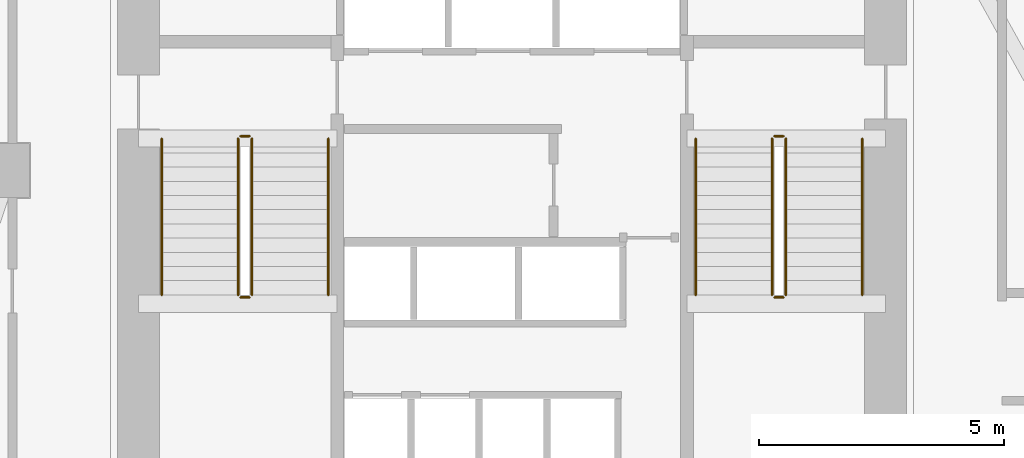
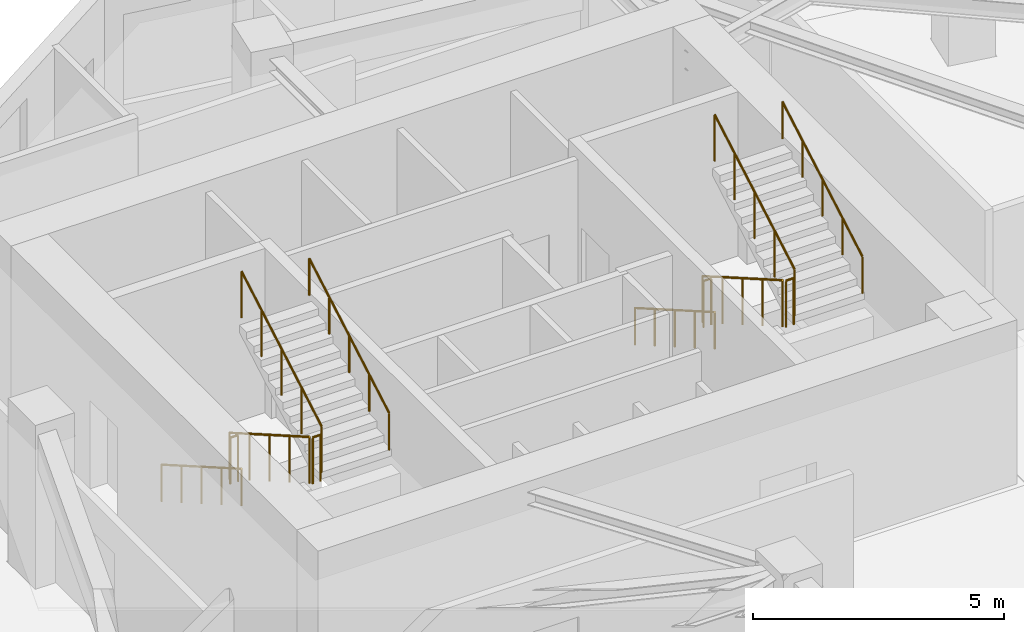
# One storey, part 10 of 11: 12 railings.
"""IFC4 building model written with IfcOpenShell, lengths in metres."""

from ifc_helpers import new_model, si_unit, direction, frame, origin, origin_2d, place, context, subcontext, project, spatial, circle, extrude, material, type_object, element, save


model = new_model("IFC4")

# Units and contexts
model_context = context("Model", 3, precision=1e-05, world=origin(), true_north=direction((0.0, 1.0)))
body_context = subcontext(model_context, "Body", "Model", "MODEL_VIEW")
ifc_project = project(units=[si_unit("LENGTHUNIT", "METRE"), si_unit("AREAUNIT", "SQUARE_METRE"), si_unit("VOLUMEUNIT", "CUBIC_METRE"), si_unit("PLANEANGLEUNIT", "RADIAN"), si_unit("MASSUNIT", "GRAM", prefix="KILO")], contexts=[model_context])

# Site, building, storey
site_placement = place(None, origin())
site = spatial("IfcSite", under=ifc_project, at=site_placement, CompositionType="ELEMENT")
building_placement = place(site_placement, origin())
building = spatial("IfcBuilding", under=site, at=building_placement, Name="Calvemar Wedge Station Tower", CompositionType="ELEMENT")
storey_placement = place(building_placement, frame((0.0, 0.0, 31.0)))
storey = spatial("IfcBuildingStorey", under=building, at=storey_placement, Name="L07", CompositionType="ELEMENT", Elevation=31.0)

# Railings
ifc_material_1 = material(Name="Stainless steel AISI 316L", Category="steel")
railing_type_1 = type_object("IfcRailingType", Name="RL-HANDRAIL-920", PredefinedType="HANDRAIL", material=ifc_material_1)
railing_1_placement = place(storey_placement, frame((16.64990234375, 41.14990234375, 0.166748046875)))
element("IfcRailing", 1, at=railing_1_placement, inside=storey, type_object=railing_type_1, Name="L07 ST-C1 stair handrail 1", PredefinedType="HANDRAIL", context=body_context, shape_type="SweptSolid", body=[
    extrude(circle(Radius=0.02392578125, at=origin_2d()), frame((0.0, 0.0, 0.89599609375), z_axis=(0.0, -0.867019545617, 0.498274128887), x_axis=(1.0, 0.0, 0.0)), (0.0, 0.0, 1.0), 3.67919921875),
    extrude(circle(Radius=0.02099609375, at=origin_2d()), origin(), (0.0, 0.0, 1.0), 0.871826171875),
    extrude(circle(Radius=0.02099609375, at=origin_2d()), frame((0.0, -0.79736328125, 0.458251953125)), (0.0, 0.0, 1.0), 0.871826171875),
    extrude(circle(Radius=0.02099609375, at=origin_2d()), frame((0.0, -1.594970703125, 0.91650390625)), (0.0, 0.0, 1.0), 0.871826171875),
    extrude(circle(Radius=0.02099609375, at=origin_2d()), frame((0.0, -2.392578125, 1.375)), (0.0, 0.0, 1.0), 0.871826171875),
    extrude(circle(Radius=0.02099609375, at=origin_2d()), frame((0.0, -3.18994140625, 1.833251953125)), (0.0, 0.0, 1.0), 0.871826171875),
])
railing_2_placement = place(storey_placement, frame((20.050048828125, 37.9599609375, 2.166748046875)))
element("IfcRailing", 2, at=railing_2_placement, inside=storey, type_object=railing_type_1, Name="L07 ST-C1 stair handrail 2", PredefinedType="HANDRAIL", context=body_context, shape_type="SweptSolid", body=[
    extrude(circle(Radius=0.02392578125, at=origin_2d()), frame((0.0, 0.0, 0.89599609375), z_axis=(0.0, 0.867019545617, 0.498274128887), x_axis=(-1.0, 0.0, 0.0)), (0.0, 0.0, 1.0), 3.67919921875),
    extrude(circle(Radius=0.02099609375, at=origin_2d()), origin(), (0.0, 0.0, 1.0), 0.871826171875),
    extrude(circle(Radius=0.02099609375, at=origin_2d()), frame((0.0, 0.79736328125, 0.458251953125)), (0.0, 0.0, 1.0), 0.871826171875),
    extrude(circle(Radius=0.02099609375, at=origin_2d()), frame((0.0, 1.594970703125, 0.91650390625)), (0.0, 0.0, 1.0), 0.871826171875),
    extrude(circle(Radius=0.02099609375, at=origin_2d()), frame((0.0, 2.392578125, 1.375)), (0.0, 0.0, 1.0), 0.871826171875),
    extrude(circle(Radius=0.02099609375, at=origin_2d()), frame((0.0, 3.18994140625, 1.833251953125)), (0.0, 0.0, 1.0), 0.871826171875),
])
railing_3_placement = place(storey_placement, frame((27.550048828125, 41.14990234375, 0.166748046875)))
element("IfcRailing", 3, at=railing_3_placement, inside=storey, type_object=railing_type_1, Name="L07 ST-C2 stair handrail 1", PredefinedType="HANDRAIL", context=body_context, shape_type="SweptSolid", body=[
    extrude(circle(Radius=0.02392578125, at=origin_2d()), frame((0.0, 0.0, 0.89599609375), z_axis=(0.0, -0.867019545617, 0.498274128887), x_axis=(1.0, 0.0, 0.0)), (0.0, 0.0, 1.0), 3.67919921875),
    extrude(circle(Radius=0.02099609375, at=origin_2d()), origin(), (0.0, 0.0, 1.0), 0.871826171875),
    extrude(circle(Radius=0.02099609375, at=origin_2d()), frame((0.0, -0.79736328125, 0.458251953125)), (0.0, 0.0, 1.0), 0.871826171875),
    extrude(circle(Radius=0.02099609375, at=origin_2d()), frame((0.0, -1.594970703125, 0.91650390625)), (0.0, 0.0, 1.0), 0.871826171875),
    extrude(circle(Radius=0.02099609375, at=origin_2d()), frame((0.0, -2.392578125, 1.375)), (0.0, 0.0, 1.0), 0.871826171875),
    extrude(circle(Radius=0.02099609375, at=origin_2d()), frame((0.0, -3.18994140625, 1.833251953125)), (0.0, 0.0, 1.0), 0.871826171875),
])
railing_4_placement = place(storey_placement, frame((30.949951171875, 37.9599609375, 2.166748046875)))
element("IfcRailing", 4, at=railing_4_placement, inside=storey, type_object=railing_type_1, Name="L07 ST-C2 stair handrail 2", PredefinedType="HANDRAIL", context=body_context, shape_type="SweptSolid", body=[
    extrude(circle(Radius=0.02392578125, at=origin_2d()), frame((0.0, 0.0, 0.89599609375), z_axis=(0.0, 0.867019545617, 0.498274128887), x_axis=(-1.0, 0.0, 0.0)), (0.0, 0.0, 1.0), 3.67919921875),
    extrude(circle(Radius=0.02099609375, at=origin_2d()), origin(), (0.0, 0.0, 1.0), 0.871826171875),
    extrude(circle(Radius=0.02099609375, at=origin_2d()), frame((0.0, 0.79736328125, 0.458251953125)), (0.0, 0.0, 1.0), 0.871826171875),
    extrude(circle(Radius=0.02099609375, at=origin_2d()), frame((0.0, 1.594970703125, 0.91650390625)), (0.0, 0.0, 1.0), 0.871826171875),
    extrude(circle(Radius=0.02099609375, at=origin_2d()), frame((0.0, 2.392578125, 1.375)), (0.0, 0.0, 1.0), 0.871826171875),
    extrude(circle(Radius=0.02099609375, at=origin_2d()), frame((0.0, 3.18994140625, 1.833251953125)), (0.0, 0.0, 1.0), 0.871826171875),
])
ifc_material_2 = material(Name="Painted steel guardrail ASTM A500 Grade C", Category="steel")
railing_type_2 = type_object("IfcRailingType", Name="RL-STAIR-GUARD-1150", PredefinedType="GUARDRAIL", material=ifc_material_2)
railing_5_placement = place(storey_placement, frame((18.2099609375, 41.14990234375, 0.166748046875)))
element("IfcRailing", 5, at=railing_5_placement, inside=storey, type_object=railing_type_2, Name="L07 ST-C1 stair guard 1", PredefinedType="GUARDRAIL", context=body_context, shape_type="SweptSolid", body=[
    extrude(circle(Radius=0.02392578125, at=origin_2d()), frame((0.0, 0.0, 1.1259765625), z_axis=(0.0, -0.867019545617, 0.498274128887), x_axis=(1.0, 0.0, 0.0)), (0.0, 0.0, 1.0), 3.67919921875),
    extrude(circle(Radius=0.02099609375, at=origin_2d()), origin(), (0.0, 0.0, 1.0), 1.101806640625),
    extrude(circle(Radius=0.02099609375, at=origin_2d()), frame((0.0, -0.79736328125, 0.458251953125)), (0.0, 0.0, 1.0), 1.101806640625),
    extrude(circle(Radius=0.02099609375, at=origin_2d()), frame((0.0, -1.594970703125, 0.91650390625)), (0.0, 0.0, 1.0), 1.101806640625),
    extrude(circle(Radius=0.02099609375, at=origin_2d()), frame((0.0, -2.392578125, 1.375)), (0.0, 0.0, 1.0), 1.101806640625),
    extrude(circle(Radius=0.02099609375, at=origin_2d()), frame((0.0, -3.18994140625, 1.833251953125)), (0.0, 0.0, 1.0), 1.101806640625),
])
railing_6_placement = place(storey_placement, frame((18.260009765625, 37.909912109375, 2.0)))
element("IfcRailing", 6, at=railing_6_placement, inside=storey, type_object=railing_type_2, Name="L07 ST-C1 stair guard 2", PredefinedType="GUARDRAIL", context=body_context, shape_type="SweptSolid", body=[
    extrude(circle(Radius=0.02392578125, at=origin_2d()), frame((0.0, 0.0, 1.1259765625), z_axis=(1.0, 0.0, 0.0), x_axis=(0.0, 1.0, 0.0)), (0.0, 0.0, 1.0), 0.179931640625),
    extrude(circle(Radius=0.02099609375, at=origin_2d()), origin(), (0.0, 0.0, 1.0), 1.101806640625),
    extrude(circle(Radius=0.02099609375, at=origin_2d()), frame((0.179931640625, 0.0, 0.0)), (0.0, 0.0, 1.0), 1.101806640625),
])
railing_7_placement = place(storey_placement, frame((18.489990234375, 37.9599609375, 2.166748046875)))
element("IfcRailing", 7, at=railing_7_placement, inside=storey, type_object=railing_type_2, Name="L07 ST-C1 stair guard 3", PredefinedType="GUARDRAIL", context=body_context, shape_type="SweptSolid", body=[
    extrude(circle(Radius=0.02392578125, at=origin_2d()), frame((0.0, 0.0, 1.1259765625), z_axis=(0.0, 0.867019545617, 0.498274128887), x_axis=(-1.0, 0.0, 0.0)), (0.0, 0.0, 1.0), 3.67919921875),
    extrude(circle(Radius=0.02099609375, at=origin_2d()), origin(), (0.0, 0.0, 1.0), 1.101806640625),
    extrude(circle(Radius=0.02099609375, at=origin_2d()), frame((0.0, 0.79736328125, 0.458251953125)), (0.0, 0.0, 1.0), 1.101806640625),
    extrude(circle(Radius=0.02099609375, at=origin_2d()), frame((0.0, 1.594970703125, 0.91650390625)), (0.0, 0.0, 1.0), 1.101806640625),
    extrude(circle(Radius=0.02099609375, at=origin_2d()), frame((0.0, 2.392578125, 1.375)), (0.0, 0.0, 1.0), 1.101806640625),
    extrude(circle(Radius=0.02099609375, at=origin_2d()), frame((0.0, 3.18994140625, 1.833251953125)), (0.0, 0.0, 1.0), 1.101806640625),
])
railing_8_placement = place(storey_placement, frame((18.260009765625, 41.199951171875, 0.0)))
element("IfcRailing", 8, at=railing_8_placement, inside=storey, type_object=railing_type_2, Name="L07 ST-C1 stair guard 4", PredefinedType="GUARDRAIL", context=body_context, shape_type="SweptSolid", body=[
    extrude(circle(Radius=0.02392578125, at=origin_2d()), frame((0.0, 0.0, 1.1259765625), z_axis=(1.0, 0.0, 0.0), x_axis=(0.0, 1.0, 0.0)), (0.0, 0.0, 1.0), 0.179931640625),
    extrude(circle(Radius=0.02099609375, at=origin_2d()), origin(), (0.0, 0.0, 1.0), 1.101806640625),
    extrude(circle(Radius=0.02099609375, at=origin_2d()), frame((0.179931640625, 0.0, 0.0)), (0.0, 0.0, 1.0), 1.101806640625),
])
railing_9_placement = place(storey_placement, frame((29.110107421875, 41.14990234375, 0.166748046875)))
element("IfcRailing", 9, at=railing_9_placement, inside=storey, type_object=railing_type_2, Name="L07 ST-C2 stair guard 1", PredefinedType="GUARDRAIL", context=body_context, shape_type="SweptSolid", body=[
    extrude(circle(Radius=0.02392578125, at=origin_2d()), frame((0.0, 0.0, 1.1259765625), z_axis=(0.0, -0.867019545617, 0.498274128887), x_axis=(1.0, 0.0, 0.0)), (0.0, 0.0, 1.0), 3.67919921875),
    extrude(circle(Radius=0.02099609375, at=origin_2d()), origin(), (0.0, 0.0, 1.0), 1.101806640625),
    extrude(circle(Radius=0.02099609375, at=origin_2d()), frame((0.0, -0.79736328125, 0.458251953125)), (0.0, 0.0, 1.0), 1.101806640625),
    extrude(circle(Radius=0.02099609375, at=origin_2d()), frame((0.0, -1.594970703125, 0.91650390625)), (0.0, 0.0, 1.0), 1.101806640625),
    extrude(circle(Radius=0.02099609375, at=origin_2d()), frame((0.0, -2.392578125, 1.375)), (0.0, 0.0, 1.0), 1.101806640625),
    extrude(circle(Radius=0.02099609375, at=origin_2d()), frame((0.0, -3.18994140625, 1.833251953125)), (0.0, 0.0, 1.0), 1.101806640625),
])
railing_10_placement = place(storey_placement, frame((29.159912109375, 37.909912109375, 2.0)))
element("IfcRailing", 10, at=railing_10_placement, inside=storey, type_object=railing_type_2, Name="L07 ST-C2 stair guard 2", PredefinedType="GUARDRAIL", context=body_context, shape_type="SweptSolid", body=[
    extrude(circle(Radius=0.02392578125, at=origin_2d()), frame((0.0, 0.0, 1.1259765625), z_axis=(1.0, 0.0, 0.0), x_axis=(0.0, 1.0, 0.0)), (0.0, 0.0, 1.0), 0.18017578125),
    extrude(circle(Radius=0.02099609375, at=origin_2d()), origin(), (0.0, 0.0, 1.0), 1.101806640625),
    extrude(circle(Radius=0.02099609375, at=origin_2d()), frame((0.18017578125, 0.0, 0.0)), (0.0, 0.0, 1.0), 1.101806640625),
])
railing_11_placement = place(storey_placement, frame((29.389892578125, 37.9599609375, 2.166748046875)))
element("IfcRailing", 11, at=railing_11_placement, inside=storey, type_object=railing_type_2, Name="L07 ST-C2 stair guard 3", PredefinedType="GUARDRAIL", context=body_context, shape_type="SweptSolid", body=[
    extrude(circle(Radius=0.02392578125, at=origin_2d()), frame((0.0, 0.0, 1.1259765625), z_axis=(0.0, 0.867019545617, 0.498274128887), x_axis=(-1.0, 0.0, 0.0)), (0.0, 0.0, 1.0), 3.67919921875),
    extrude(circle(Radius=0.02099609375, at=origin_2d()), origin(), (0.0, 0.0, 1.0), 1.101806640625),
    extrude(circle(Radius=0.02099609375, at=origin_2d()), frame((0.0, 0.79736328125, 0.458251953125)), (0.0, 0.0, 1.0), 1.101806640625),
    extrude(circle(Radius=0.02099609375, at=origin_2d()), frame((0.0, 1.594970703125, 0.91650390625)), (0.0, 0.0, 1.0), 1.101806640625),
    extrude(circle(Radius=0.02099609375, at=origin_2d()), frame((0.0, 2.392578125, 1.375)), (0.0, 0.0, 1.0), 1.101806640625),
    extrude(circle(Radius=0.02099609375, at=origin_2d()), frame((0.0, 3.18994140625, 1.833251953125)), (0.0, 0.0, 1.0), 1.101806640625),
])
railing_12_placement = place(storey_placement, frame((29.159912109375, 41.199951171875, 0.0)))
element("IfcRailing", 12, at=railing_12_placement, inside=storey, type_object=railing_type_2, Name="L07 ST-C2 stair guard 4", PredefinedType="GUARDRAIL", context=body_context, shape_type="SweptSolid", body=[
    extrude(circle(Radius=0.02392578125, at=origin_2d()), frame((0.0, 0.0, 1.1259765625), z_axis=(1.0, 0.0, 0.0), x_axis=(0.0, 1.0, 0.0)), (0.0, 0.0, 1.0), 0.18017578125),
    extrude(circle(Radius=0.02099609375, at=origin_2d()), origin(), (0.0, 0.0, 1.0), 1.101806640625),
    extrude(circle(Radius=0.02099609375, at=origin_2d()), frame((0.18017578125, 0.0, 0.0)), (0.0, 0.0, 1.0), 1.101806640625),
])

save(model, "model.ifc")
